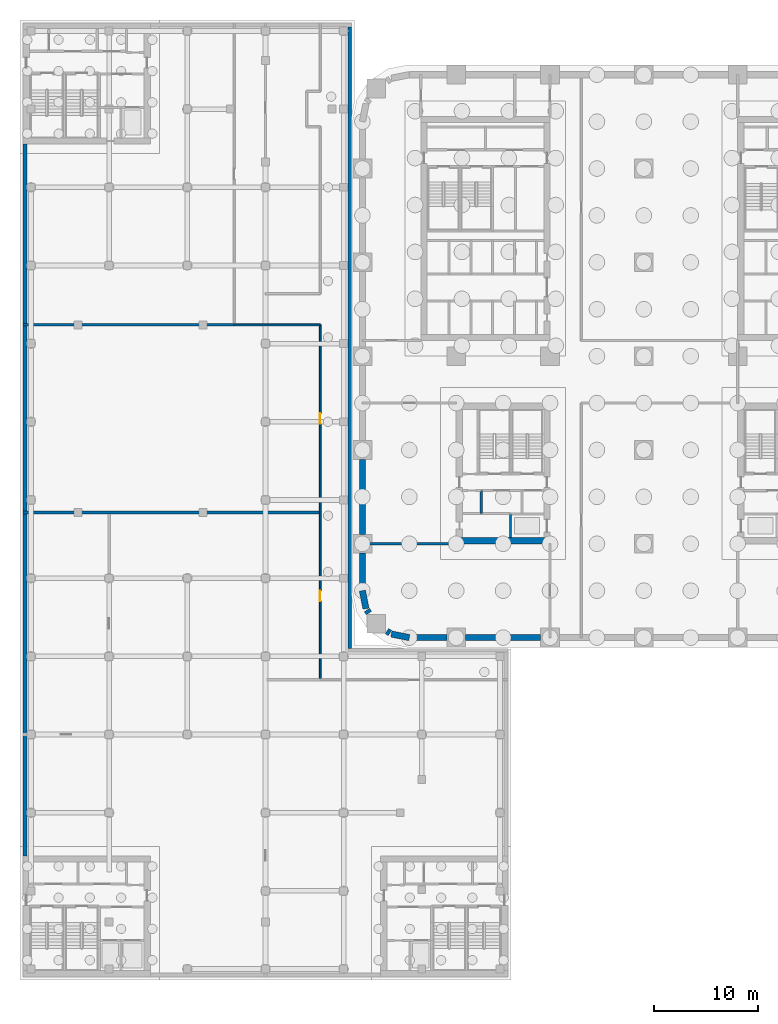
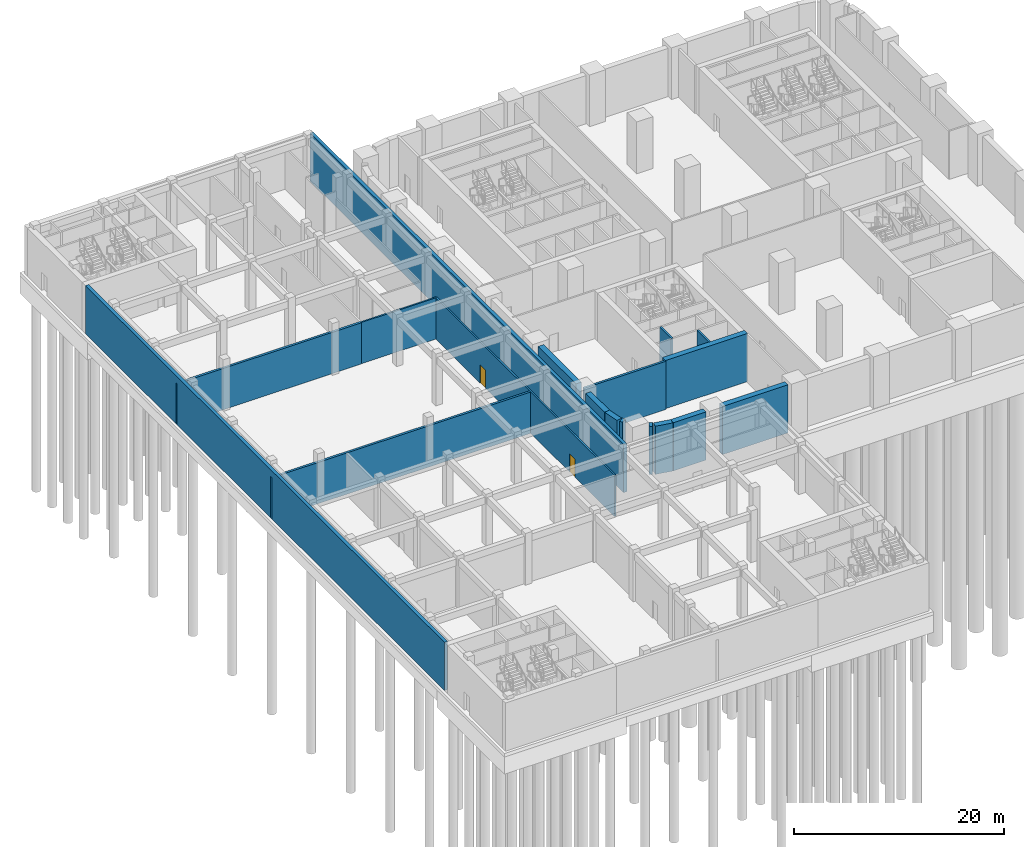
# One storey, part 6 of 26: 18 walls, 2 doors, 2 openings.
"""IFC4 building model written with IfcOpenShell, lengths in metres."""

from ifc_helpers import new_model, si_unit, direction, frame, frame_2d, origin, place, context, subcontext, project, spatial, rectangle, extrude, material, layer, layer_set, type_object, element, fill, save


model = new_model("IFC4")

# Units and contexts
model_context = context("Model", 3, precision=1e-05, world=origin(), true_north=direction((0.0, 1.0)))
body_context = subcontext(model_context, "Body", "Model", "MODEL_VIEW")
ifc_project = project(units=[si_unit("LENGTHUNIT", "METRE"), si_unit("AREAUNIT", "SQUARE_METRE"), si_unit("VOLUMEUNIT", "CUBIC_METRE"), si_unit("PLANEANGLEUNIT", "RADIAN"), si_unit("MASSUNIT", "GRAM", prefix="KILO")], contexts=[model_context])

# Site, building, storey
site_placement = place(None, origin())
site = spatial("IfcSite", under=ifc_project, at=site_placement, CompositionType="ELEMENT")
building_placement = place(site_placement, origin())
building = spatial("IfcBuilding", under=site, at=building_placement, Name="Tessera Arch", CompositionType="ELEMENT")
storey_placement = place(building_placement, frame((0.0, 0.0, -6.0)))
storey = spatial("IfcBuildingStorey", under=building, at=storey_placement, Name="B1", CompositionType="ELEMENT", Elevation=-6.0)

# Walls
ifc_material_1 = material(Name="Concrete C50/60", Category="concrete")
ifc_layer_1 = layer(ifc_material_1, 0.60009765625)
ifc_layer_set_1 = layer_set([ifc_layer_1], Name="Basement wall 600 Concrete C50/60")
wall_type_1 = type_object("IfcWallType", Name="Basement wall 600 Concrete C50/60", PredefinedType="SOLIDWALL", material=ifc_layer_set_1)
wall_1_placement = place(storey_placement, frame((0.0, 17.10009765625, 0.0), z_axis=(0.0, 0.0, 1.0), x_axis=(0.0, -1.0, 0.0)))
element("IfcWall", 1, at=wall_1_placement, inside=storey, type_object=wall_type_1, Name="Basement wall B1 25", PredefinedType="SOLIDWALL", context=body_context, shape_type="SweptSolid", body=[
    extrude(rectangle(XDim=7.2001953125, YDim=0.60009765625, at=frame_2d((3.60009765625, 0.0))), origin(), (0.0, 0.0, 1.0), 5.590087890625),
])
wall_2_placement = place(storey_placement, frame((0.0, 8.10009765625, 0.0), z_axis=(0.0, 0.0, 1.0), x_axis=(0.0, -1.0, 0.0)))
element("IfcWall", 2, at=wall_2_placement, inside=storey, type_object=wall_type_1, Name="Basement wall B1 26", PredefinedType="SOLIDWALL", context=body_context, shape_type="SweptSolid", body=[
    extrude(rectangle(XDim=3.60009765625, YDim=0.60009765625, at=frame_2d((1.800048828125, 0.0))), origin(), (0.0, 0.0, 1.0), 5.590087890625),
])
wall_3_placement = place(storey_placement, frame((0.0, 4.5, 0.0), z_axis=(0.0, 0.0, 1.0), x_axis=(0.195073223687, -0.980788681317, 0.0)))
element("IfcWall", 3, at=wall_3_placement, inside=storey, type_object=wall_type_1, Name="Basement wall B1 27", PredefinedType="SOLIDWALL", context=body_context, shape_type="SweptSolid", body=[
    extrude(rectangle(XDim=1.755859375, YDim=0.60009765625, at=frame_2d((0.8779296875, 0.0))), origin(), (0.0, 0.0, 1.0), 5.590087890625),
])
for number, where, z_axis, x_axis, name in (
    (4, (0.434814453125, 2.639892578125, 0.0), (0.0, 0.0, 1.0), (0.555524878855, -0.831499915197, 0.0), "Basement wall B1 28"),
    (5, (2.35595703125, 0.62451171875, 0.0), (0.0, 0.0, 1.0), (0.831499915197, -0.555524878855, 0.0), "Basement wall B1 29"),
):
    element("IfcWall", number, at=place(storey_placement, frame(where, z_axis=z_axis, x_axis=x_axis)), inside=storey, type_object=wall_type_1, Name=name, PredefinedType="SOLIDWALL", context=body_context, shape_type="SweptSolid", body=[
        extrude(rectangle(XDim=0.341552734375, YDim=0.60009765625, at=frame_2d((0.1708984375, 0.0))), origin(), (0.0, 0.0, 1.0), 5.590087890625),
    ])
wall_4_placement = place(storey_placement, frame((2.77783203125, 0.342529296875, 0.0), z_axis=(0.0, 0.0, 1.0), x_axis=(0.980788681317, -0.195073223687, 0.0)))
element("IfcWall", 6, at=wall_4_placement, inside=storey, type_object=wall_type_1, Name="Basement wall B1 30", PredefinedType="SOLIDWALL", context=body_context, shape_type="SweptSolid", body=[
    extrude(rectangle(XDim=1.755859375, YDim=0.60009765625, at=frame_2d((0.8779296875, 0.0))), origin(), (0.0, 0.0, 1.0), 5.590087890625),
])
wall_5_placement = place(storey_placement, frame((4.5, 0.0, 0.0), z_axis=(0.0, 0.0, 1.0), x_axis=(1.0, 0.0, 0.0)))
element("IfcWall", 7, at=wall_5_placement, inside=storey, type_object=wall_type_1, Name="Basement wall B1 31", PredefinedType="SOLIDWALL", context=body_context, shape_type="SweptSolid", body=[
    extrude(rectangle(XDim=3.60009765625, YDim=0.60009765625, at=frame_2d((1.800048828125, 0.0))), origin(), (0.0, 0.0, 1.0), 5.590087890625),
])
wall_6_placement = place(storey_placement, frame((9.89990234375, 0.0, 0.0), z_axis=(0.0, 0.0, 1.0), x_axis=(1.0, 0.0, 0.0)))
element("IfcWall", 8, at=wall_6_placement, inside=storey, type_object=wall_type_1, Name="Basement wall B1 32", PredefinedType="SOLIDWALL", context=body_context, shape_type="SweptSolid", body=[
    extrude(rectangle(XDim=7.2001953125, YDim=0.60009765625, at=frame_2d((3.60009765625, 0.0))), origin(), (0.0, 0.0, 1.0), 5.590087890625),
])
ifc_material_2 = material(Name="Concrete C70/85", Category="concrete")
ifc_layer_2 = layer(ifc_material_2, 0.60009765625)
ifc_layer_set_2 = layer_set([ifc_layer_2], Name="Core shell wall 600 C70-85")
wall_type_2 = type_object("IfcWallType", Name="Core shell wall 600 C70-85", PredefinedType="SHEAR", material=ifc_layer_set_2)
wall_7_placement = place(storey_placement, frame((9.0, 9.300048828125, 0.0), z_axis=(0.0, 0.0, 1.0), x_axis=(1.0, 0.0, 0.0)))
element("IfcWall", 9, at=wall_7_placement, inside=storey, type_object=wall_type_2, Name="B1 C4 core wall S", PredefinedType="SHEAR", context=body_context, shape_type="SweptSolid", body=[
    extrude(rectangle(XDim=9.0, YDim=0.60009765625, at=frame_2d((4.5, 0.0))), origin(), (0.0, 0.0, 1.0), 5.590087890625),
])
ifc_material_3 = material(Name="Gypsum board on deep steel stud with mineral wool", Category="steel")
ifc_layer_3 = layer(ifc_material_3, 0.175048828125)
ifc_layer_set_3 = layer_set([ifc_layer_3], Name="Corridor wall 175 EI 60")
wall_type_3 = type_object("IfcWallType", Name="Corridor wall 175 EI 60", PredefinedType="PARTITIONING", material=ifc_layer_set_3)
wall_8_placement = place(storey_placement, frame((-12.300048828125, 30.0, 0.0), z_axis=(0.0, 0.0, 1.0), x_axis=(1.0, 0.0, 0.0)))
element("IfcWall", 10, at=wall_8_placement, inside=storey, type_object=wall_type_3, Name="B1 partition 7", PredefinedType="PARTITIONING", context=body_context, shape_type="SweptSolid", body=[
    extrude(rectangle(XDim=8.25, YDim=0.175048828125, at=frame_2d((4.125, 0.0))), origin(), (0.0, 0.0, 1.0), 4.7900390625),
])

# Wall, openings, doors
wall_9_placement = place(storey_placement, frame((-4.050048828125, -4.050048828125, 0.0), z_axis=(0.0, 0.0, 1.0), x_axis=(0.0, 1.0, 0.0)))
wall_9 = element("IfcWall", 11, at=wall_9_placement, inside=storey, type_object=wall_type_3, Name="B1 partition 15", PredefinedType="PARTITIONING", context=body_context, shape_type="SweptSolid", body=[
    extrude(rectangle(XDim=34.050048828125, YDim=0.175048828125, at=frame_2d((17.02490234375, 0.0))), origin(), (0.0, 0.0, 1.0), 4.7900390625),
])
opening_1_placement = place(wall_9_placement, frame((24.550048828125, 0.0, 0.0)))
opening_1 = element("IfcOpeningElement", 12, at=opening_1_placement, cuts=wall_9, Name="Opening B1-D015", PredefinedType="OPENING", context=body_context, shape_type="SweptSolid", body=[
    extrude(rectangle(XDim=1.0, YDim=2.10009765625, at=frame_2d((0.5, 1.050048828125))), frame((0.0, 0.097412109375, 0.0), z_axis=(0.0, -1.0, 0.0), x_axis=(1.0, 0.0, 0.0)), (0.0, 0.0, 1.0), 0.195068359375),
])
opening_2_placement = place(wall_9_placement, frame((7.52490234375, 0.0, 0.0)))
opening_2 = element("IfcOpeningElement", 13, at=opening_2_placement, cuts=wall_9, Name="Opening B1-D017", PredefinedType="OPENING", context=body_context, shape_type="SweptSolid", body=[
    extrude(rectangle(XDim=1.0, YDim=2.10009765625, at=frame_2d((0.5, 1.050048828125))), frame((0.0, 0.097412109375, 0.0), z_axis=(0.0, -1.0, 0.0), x_axis=(1.0, 0.0, 0.0)), (0.0, 0.0, 1.0), 0.195068359375),
])
ifc_material_4 = material(Name="Fire-rated door leaf")
door_type_1 = type_object("IfcDoorType", Name="Entrance door FD30S 1000 x 2100", OperationType="SINGLE_SWING_LEFT", PredefinedType="DOOR", material=ifc_material_4)
door_1_placement = place(opening_1_placement, origin())
door_1 = element("IfcDoor", 14, at=door_1_placement, inside=storey, type_object=door_type_1, Name="B1 door D015 type D03", OperationType="SINGLE_SWING_RIGHT", OverallHeight=2.10009765625, OverallWidth=1.0, PredefinedType="DOOR", context=body_context, shape_type="SweptSolid", body=[
    extrude(rectangle(XDim=1.0, YDim=2.10009765625, at=frame_2d((0.5, 1.050048828125))), frame((0.0, 0.02490234375, 0.0), z_axis=(0.0, -1.0, 0.0), x_axis=(1.0, 0.0, 0.0)), (0.0, 0.0, 1.0), 0.050048828125),
])
fill(opening_1, door_1)
ifc_material_5 = material(Name="Fire-rated door leaf")
door_type_2 = type_object("IfcDoorType", Name="Entrance door FD60 1000 x 2100", OperationType="SINGLE_SWING_LEFT", PredefinedType="DOOR", material=ifc_material_5)
door_2_placement = place(opening_2_placement, origin())
door_2 = element("IfcDoor", 15, at=door_2_placement, inside=storey, type_object=door_type_2, Name="B1 door D017 type D16", OperationType="SINGLE_SWING_RIGHT", OverallHeight=2.10009765625, OverallWidth=1.0, PredefinedType="DOOR", context=body_context, shape_type="SweptSolid", body=[
    extrude(rectangle(XDim=1.0, YDim=2.10009765625, at=frame_2d((0.5, 1.050048828125))), frame((0.0, 0.02490234375, 0.0), z_axis=(0.0, -1.0, 0.0), x_axis=(1.0, 0.0, 0.0)), (0.0, 0.0, 1.0), 0.050048828125),
])
fill(opening_2, door_2)

# Walls
ifc_material_6 = material(Name="Concrete C40/50", Category="concrete")
ifc_layer_4 = layer(ifc_material_6, 0.199951171875)
ifc_layer_set_4 = layer_set([ifc_layer_4], Name="Lift shaft wall 200 REI 180")
wall_type_4 = type_object("IfcWallType", Name="Lift shaft wall 200 REI 180", PredefinedType="SOLIDWALL", material=ifc_layer_set_4)
wall_10_placement = place(storey_placement, frame((14.199951171875, 9.60009765625, 0.0), z_axis=(0.0, 0.0, 1.0), x_axis=(0.0, 1.0, 0.0)))
element("IfcWall", 16, at=wall_10_placement, inside=storey, type_object=wall_type_4, Name="B1 C4 shaft wall 5", PredefinedType="SOLIDWALL", context=body_context, shape_type="SweptSolid", body=[
    extrude(rectangle(XDim=2.25, YDim=0.199951171875, at=frame_2d((1.125, 0.0))), origin(), (0.0, 0.0, 1.0), 5.590087890625),
])
ifc_material_7 = material(Name="Concrete C50/60", Category="concrete")
ifc_layer_5 = layer(ifc_material_7, 0.35009765625)
ifc_layer_set_5 = layer_set([ifc_layer_5], Name="Museum basement wall 350 Concrete C50/60")
wall_type_5 = type_object("IfcWallType", Name="Museum basement wall 350 Concrete C50/60", PredefinedType="SOLIDWALL", material=ifc_layer_set_5)
wall_11_placement = place(storey_placement, frame((-32.375, -20.949951171875, 0.0), z_axis=(0.0, 0.0, 1.0), x_axis=(0.0, 1.0, 0.0)))
element("IfcWall", 17, at=wall_11_placement, inside=storey, type_object=wall_type_5, Name="Museum basement wall B1 1", PredefinedType="SOLIDWALL", context=body_context, shape_type="SweptSolid", body=[
    extrude(rectangle(XDim=68.300048828125, YDim=0.35009765625, at=frame_2d((34.14990234375, 0.0))), origin(), (0.0, 0.0, 1.0), 5.590087890625),
])
wall_12_placement = place(storey_placement, frame((-1.22509765625, 58.60009765625, 0.0), z_axis=(0.0, 0.0, 1.0), x_axis=(0.0, -1.0, 0.0)))
element("IfcWall", 18, at=wall_12_placement, inside=storey, type_object=wall_type_5, Name="Museum basement wall B1 3", PredefinedType="SOLIDWALL", context=body_context, shape_type="SweptSolid", body=[
    extrude(rectangle(XDim=59.650146484375, YDim=0.35009765625, at=frame_2d((29.8251953125, 0.0))), origin(), (0.0, 0.0, 1.0), 5.590087890625),
])
ifc_material_8 = material(Name="Double gypsum board on twin steel stud with acoustic mineral wool", Category="steel")
ifc_layer_6 = layer(ifc_material_8, 0.25)
ifc_layer_set_6 = layer_set([ifc_layer_6], Name="Party wall 250 EI 60")
wall_type_6 = type_object("IfcWallType", Name="Party wall 250 EI 60", PredefinedType="PARTITIONING", material=ifc_layer_set_6)
wall_13_placement = place(storey_placement, frame((0.0, 9.0, 0.0), z_axis=(0.0, 0.0, 1.0), x_axis=(1.0, 0.0, 0.0)))
element("IfcWall", 19, at=wall_13_placement, inside=storey, type_object=wall_type_6, Name="B1 partition 29", PredefinedType="PARTITIONING", context=body_context, shape_type="SweptSolid", body=[
    extrude(rectangle(XDim=9.0, YDim=0.25, at=frame_2d((4.5, 0.0))), origin(), (0.0, 0.0, 1.0), 5.590087890625),
])
wall_14_placement = place(storey_placement, frame((-32.550048828125, 12.0, 0.0), z_axis=(0.0, 0.0, 1.0), x_axis=(1.0, 0.0, 0.0)))
element("IfcWall", 20, at=wall_14_placement, inside=storey, type_object=wall_type_6, Name="B1 partition 30", PredefinedType="PARTITIONING", context=body_context, shape_type="SweptSolid", body=[
    extrude(rectangle(XDim=28.5, YDim=0.25, at=frame_2d((14.25, 0.0))), origin(), (0.0, 0.0, 1.0), 4.7900390625),
])
wall_15_placement = place(storey_placement, frame((-32.550048828125, 30.0, 0.0), z_axis=(0.0, 0.0, 1.0), x_axis=(1.0, 0.0, 0.0)))
element("IfcWall", 21, at=wall_15_placement, inside=storey, type_object=wall_type_6, Name="B1 partition 31", PredefinedType="PARTITIONING", context=body_context, shape_type="SweptSolid", body=[
    extrude(rectangle(XDim=20.25, YDim=0.25, at=frame_2d((10.125, 0.0))), origin(), (0.0, 0.0, 1.0), 4.7900390625),
])
ifc_material_9 = material(Name="Concrete C40/50", Category="concrete")
ifc_layer_7 = layer(ifc_material_9, 0.199951171875)
ifc_layer_set_7 = layer_set([ifc_layer_7], Name="Shaft wall 200 EI 120")
wall_type_7 = type_object("IfcWallType", Name="Shaft wall 200 EI 120", PredefinedType="SOLIDWALL", material=ifc_layer_set_7)
wall_16_placement = place(storey_placement, frame((11.39990234375, 11.89990234375, 0.0), z_axis=(0.0, 0.0, 1.0), x_axis=(0.0, 1.0, 0.0)))
element("IfcWall", 22, at=wall_16_placement, inside=storey, type_object=wall_type_7, Name="B1 C4 shaft wall 4", PredefinedType="SOLIDWALL", context=body_context, shape_type="SweptSolid", body=[
    extrude(rectangle(XDim=2.2001953125, YDim=0.199951171875, at=frame_2d((1.10009765625, 0.0))), origin(), (0.0, 0.0, 1.0), 5.590087890625),
])

save(model, "model.ifc")
